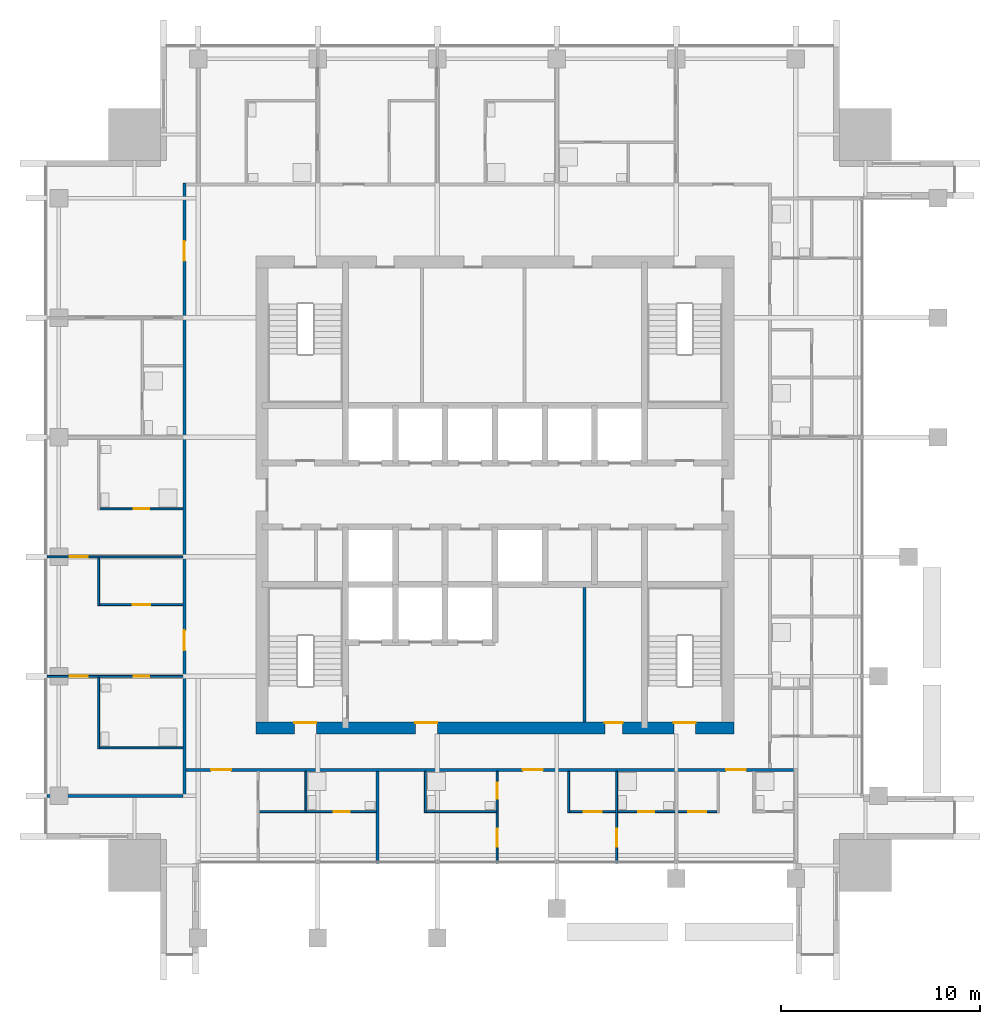
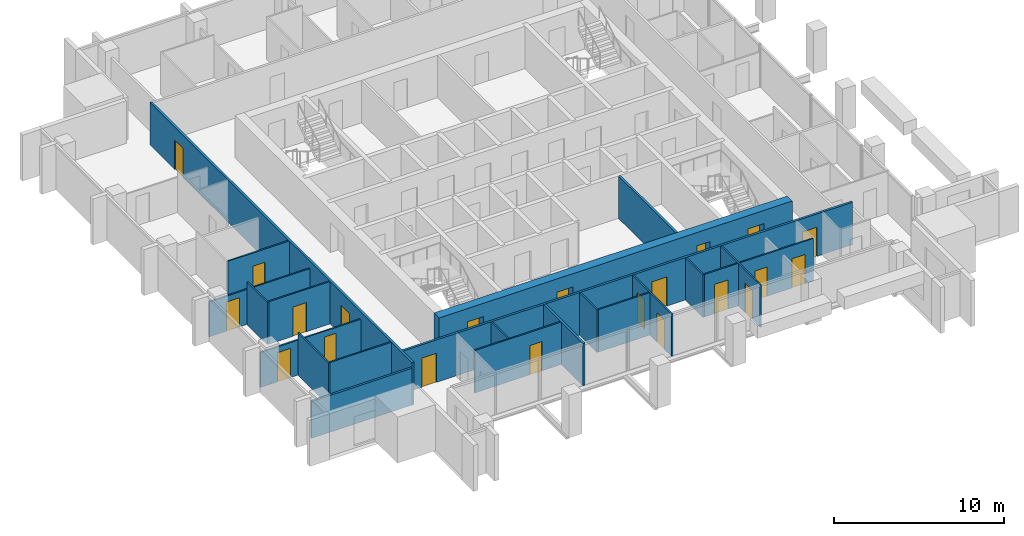
# One storey, part 8 of 14: 21 doors, 21 walls, 21 openings.
"""IFC4 building model written with IfcOpenShell, lengths in metres."""

from ifc_helpers import new_model, si_unit, direction, frame, frame_2d, origin, place, context, subcontext, project, spatial, rectangle, extrude, material, layer, layer_set, type_object, element, fill, save


model = new_model("IFC4")

# Units and contexts
model_context = context("Model", 3, precision=1e-05, world=origin(), true_north=direction((0.0, 1.0)))
body_context = subcontext(model_context, "Body", "Model", "MODEL_VIEW")
ifc_project = project(units=[si_unit("LENGTHUNIT", "METRE"), si_unit("AREAUNIT", "SQUARE_METRE"), si_unit("VOLUMEUNIT", "CUBIC_METRE"), si_unit("PLANEANGLEUNIT", "RADIAN"), si_unit("MASSUNIT", "GRAM", prefix="KILO")], contexts=[model_context])

# Site, building, storey
site_placement = place(None, origin())
site = spatial("IfcSite", under=ifc_project, at=site_placement, CompositionType="ELEMENT")
building_placement = place(site_placement, origin())
building = spatial("IfcBuilding", under=site, at=building_placement, Name="Amberfall Residences", CompositionType="ELEMENT")
storey_placement = place(building_placement, frame((0.0, 0.0, 220.0)))
storey = spatial("IfcBuildingStorey", under=building, at=storey_placement, Name="L59", CompositionType="ELEMENT", Elevation=220.0)

# Wall, openings, doors
ifc_material_1 = material(Name="Concrete C55", Category="concrete")
ifc_layer_1 = layer(ifc_material_1, 0.60009765625)
ifc_layer_set_1 = layer_set([ifc_layer_1], Name="Core wall 600 C55")
wall_type_1 = type_object("IfcWallType", Name="Core wall 600 C55", PredefinedType="SHEAR", material=ifc_layer_set_1)
wall_1_placement = place(storey_placement, frame((62.5, 33.800048828125, 0.0), z_axis=(0.0, 0.0, 1.0), x_axis=(1.0, 0.0, 0.0)))
wall_1 = element("IfcWall", 1, at=wall_1_placement, inside=storey, type_object=wall_type_1, Name="Core wall RW7 L59 OS", PredefinedType="SHEAR", context=body_context, shape_type="SweptSolid", body=[
    extrude(rectangle(XDim=24.0, YDim=0.60009765625, at=frame_2d((12.0, 0.0))), origin(), (0.0, 0.0, 1.0), 3.050048828125),
])
opening_1_placement = place(wall_1_placement, frame((1.925048828125, 0.0, 0.0)))
opening_1 = element("IfcOpeningElement", 2, at=opening_1_placement, cuts=wall_1, Name="Opening SD1", PredefinedType="OPENING", context=body_context, shape_type="SweptSolid", body=[
    extrude(rectangle(XDim=1.10009765625, YDim=2.10009765625, at=frame_2d((0.550048828125, 1.050048828125))), frame((0.0, 0.31005859375, 0.0), z_axis=(0.0, -1.0, 0.0), x_axis=(1.0, 0.0, 0.0)), (0.0, 0.0, 1.0), 0.6201171875),
])
opening_2_placement = place(wall_1_placement, frame((20.97509765625, 0.0, 0.0)))
opening_2 = element("IfcOpeningElement", 3, at=opening_2_placement, cuts=wall_1, Name="Opening SD1", PredefinedType="OPENING", context=body_context, shape_type="SweptSolid", body=[
    extrude(rectangle(XDim=1.10009765625, YDim=2.10009765625, at=frame_2d((0.550048828125, 1.050048828125))), frame((0.0, 0.31005859375, 0.0), z_axis=(0.0, -1.0, 0.0), x_axis=(1.0, 0.0, 0.0)), (0.0, 0.0, 1.0), 0.6201171875),
])
opening_3_placement = place(wall_1_placement, frame((8.0, 0.0, 0.0)))
opening_3 = element("IfcOpeningElement", 4, at=opening_3_placement, cuts=wall_1, Name="Opening FL1", PredefinedType="OPENING", context=body_context, shape_type="SweptSolid", body=[
    extrude(rectangle(XDim=1.10009765625, YDim=2.10009765625, at=frame_2d((0.550048828125, 1.050048828125))), frame((0.0, 0.31005859375, 0.0), z_axis=(0.0, -1.0, 0.0), x_axis=(1.0, 0.0, 0.0)), (0.0, 0.0, 1.0), 0.6201171875),
])
opening_4_placement = place(wall_1_placement, frame((17.512451171875, 0.0, 0.0)))
opening_4 = element("IfcOpeningElement", 5, at=opening_4_placement, cuts=wall_1, Name="Opening RD1", PredefinedType="OPENING", context=body_context, shape_type="SweptSolid", body=[
    extrude(rectangle(XDim=0.89990234375, YDim=2.10009765625, at=frame_2d((0.449951171875, 1.050048828125))), frame((0.0, 0.31005859375, 0.0), z_axis=(0.0, -1.0, 0.0), x_axis=(1.0, 0.0, 0.0)), (0.0, 0.0, 1.0), 0.6201171875),
])
ifc_material_2 = material(Name="Steel fire door set", Category="steel")
door_type_1 = type_object("IfcDoorType", Name="Firefighting lobby door 1100 x 2100", OperationType="SINGLE_SWING_LEFT", PredefinedType="DOOR", material=ifc_material_2)
door_1_placement = place(opening_3_placement, origin())
door_1 = element("IfcDoor", 6, at=door_1_placement, inside=storey, type_object=door_type_1, Name="FL1 L59", OperationType="SINGLE_SWING_LEFT", OverallHeight=2.10009765625, OverallWidth=1.10009765625, PredefinedType="DOOR", context=body_context, shape_type="SweptSolid", body=[
    extrude(rectangle(XDim=1.10009765625, YDim=2.10009765625, at=frame_2d((0.550048828125, 1.050048828125))), frame((0.0, 0.28759765625, 0.0), z_axis=(0.0, -1.0, 0.0), x_axis=(1.0, 0.0, 0.0)), (0.0, 0.0, 1.0), 0.050048828125),
])
fill(opening_3, door_1)
door_type_2 = type_object("IfcDoorType", Name="Service room door 900 x 2100", OperationType="SINGLE_SWING_LEFT", PredefinedType="DOOR", material=ifc_material_2)
door_2_placement = place(opening_4_placement, origin())
door_2 = element("IfcDoor", 7, at=door_2_placement, inside=storey, type_object=door_type_2, Name="RD1 L59", OperationType="SINGLE_SWING_LEFT", OverallHeight=2.10009765625, OverallWidth=0.89990234375, PredefinedType="DOOR", context=body_context, shape_type="SweptSolid", body=[
    extrude(rectangle(XDim=0.89990234375, YDim=2.10009765625, at=frame_2d((0.449951171875, 1.050048828125))), frame((0.0, 0.28759765625, 0.0), z_axis=(0.0, -1.0, 0.0), x_axis=(1.0, 0.0, 0.0)), (0.0, 0.0, 1.0), 0.050048828125),
])
fill(opening_4, door_2)
door_type_3 = type_object("IfcDoorType", Name="Stair door 1100 x 2100", OperationType="SINGLE_SWING_LEFT", PredefinedType="DOOR", material=ifc_material_2)
door_3_placement = place(opening_1_placement, origin())
door_3 = element("IfcDoor", 8, at=door_3_placement, inside=storey, type_object=door_type_3, Name="SD1 L59", OperationType="SINGLE_SWING_LEFT", OverallHeight=2.10009765625, OverallWidth=1.10009765625, PredefinedType="DOOR", context=body_context, shape_type="SweptSolid", body=[
    extrude(rectangle(XDim=1.10009765625, YDim=2.10009765625, at=frame_2d((0.550048828125, 1.050048828125))), frame((0.0, 0.28759765625, 0.0), z_axis=(0.0, -1.0, 0.0), x_axis=(1.0, 0.0, 0.0)), (0.0, 0.0, 1.0), 0.050048828125),
])
fill(opening_1, door_3)
door_4_placement = place(opening_2_placement, origin())
door_4 = element("IfcDoor", 9, at=door_4_placement, inside=storey, type_object=door_type_3, Name="SD1 L59", OperationType="SINGLE_SWING_RIGHT", OverallHeight=2.10009765625, OverallWidth=1.10009765625, PredefinedType="DOOR", context=body_context, shape_type="SweptSolid", body=[
    extrude(rectangle(XDim=1.10009765625, YDim=2.10009765625, at=frame_2d((0.550048828125, 1.050048828125))), frame((0.0, 0.28759765625, 0.0), z_axis=(0.0, -1.0, 0.0), x_axis=(1.0, 0.0, 0.0)), (0.0, 0.0, 1.0), 0.050048828125),
])
fill(opening_2, door_4)

# Walls
ifc_material_3 = material(Name="Gypsum board on metal stud")
ifc_layer_2 = layer(ifc_material_3, 0.10009765625)
ifc_layer_set_2 = layer_set([ifc_layer_2], Name="Flat partition 100")
wall_type_2 = type_object("IfcWallType", Name="Flat partition 100", PredefinedType="PARTITIONING", material=ifc_layer_set_2)
wall_2_placement = place(storey_placement, frame((54.60009765625, 32.75, 0.0), z_axis=(0.0, 0.0, 1.0), x_axis=(0.0, 1.0, 0.0)))
element("IfcWall", 10, at=wall_2_placement, inside=storey, type_object=wall_type_2, Name="Partition 001", PredefinedType="PARTITIONING", context=body_context, shape_type="SweptSolid", body=[
    extrude(rectangle(XDim=3.60009765625, YDim=0.10009765625, at=frame_2d((1.800048828125, 0.0))), origin(), (0.0, 0.0, 1.0), 3.050048828125),
])
wall_3_placement = place(storey_placement, frame((54.60009765625, 39.949951171875, 0.0), z_axis=(0.0, 0.0, 1.0), x_axis=(0.0, 1.0, 0.0)))
element("IfcWall", 11, at=wall_3_placement, inside=storey, type_object=wall_type_2, Name="Partition 002", PredefinedType="PARTITIONING", context=body_context, shape_type="SweptSolid", body=[
    extrude(rectangle(XDim=2.400146484375, YDim=0.10009765625, at=frame_2d((1.2001953125, 0.0))), origin(), (0.0, 0.0, 1.0), 3.050048828125),
])
wall_4_placement = place(storey_placement, frame((65.0, 29.64990234375, 0.0), z_axis=(0.0, 0.0, 1.0), x_axis=(0.0, 1.0, 0.0)))
element("IfcWall", 12, at=wall_4_placement, inside=storey, type_object=wall_type_2, Name="Partition 007", PredefinedType="PARTITIONING", context=body_context, shape_type="SweptSolid", body=[
    extrude(rectangle(XDim=1.97509765625, YDim=0.10009765625, at=frame_2d((0.987548828125, 0.0))), origin(), (0.0, 0.0, 1.0), 3.050048828125),
])
wall_5_placement = place(storey_placement, frame((71.0, 29.550048828125, 0.0), z_axis=(0.0, 0.0, 1.0), x_axis=(0.0, 1.0, 0.0)))
element("IfcWall", 13, at=wall_5_placement, inside=storey, type_object=wall_type_2, Name="Partition 010", PredefinedType="PARTITIONING", context=body_context, shape_type="SweptSolid", body=[
    extrude(rectangle(XDim=2.074951171875, YDim=0.10009765625, at=frame_2d((1.03759765625, 0.0))), origin(), (0.0, 0.0, 1.0), 3.050048828125),
])

# Wall, openings, doors
wall_6_placement = place(storey_placement, frame((74.60009765625, 27.0, 0.0), z_axis=(0.0, 0.0, 1.0), x_axis=(0.0, 1.0, 0.0)))
wall_6 = element("IfcWall", 14, at=wall_6_placement, inside=storey, type_object=wall_type_2, Name="Partition 013", PredefinedType="PARTITIONING", context=body_context, shape_type="SweptSolid", body=[
    extrude(rectangle(XDim=4.625, YDim=0.10009765625, at=frame_2d((2.3125, 0.0))), origin(), (0.0, 0.0, 1.0), 3.050048828125),
])
opening_5_placement = place(wall_6_placement, frame((0.85009765625, 0.0, 0.0)))
opening_5 = element("IfcOpeningElement", 15, at=opening_5_placement, cuts=wall_6, Name="Opening D41", PredefinedType="OPENING", context=body_context, shape_type="SweptSolid", body=[
    extrude(rectangle(XDim=0.89990234375, YDim=2.10009765625, at=frame_2d((0.449951171875, 1.050048828125))), frame((0.0, 0.06005859375, 0.0), z_axis=(0.0, -1.0, 0.0), x_axis=(1.0, 0.0, 0.0)), (0.0, 0.0, 1.0), 0.1201171875),
])
opening_6_placement = place(wall_6_placement, frame((3.25, 0.0, 0.0)))
opening_6 = element("IfcOpeningElement", 16, at=opening_6_placement, cuts=wall_6, Name="Opening D42", PredefinedType="OPENING", context=body_context, shape_type="SweptSolid", body=[
    extrude(rectangle(XDim=0.800048828125, YDim=2.10009765625, at=frame_2d((0.39990234375, 1.050048828125))), frame((0.0, 0.06005859375, 0.0), z_axis=(0.0, -1.0, 0.0), x_axis=(1.0, 0.0, 0.0)), (0.0, 0.0, 1.0), 0.1201171875),
])
ifc_material_4 = material(Name="Timber", Category="wood")
door_type_4 = type_object("IfcDoorType", Name="Bathroom door 800 x 2100", OperationType="SINGLE_SWING_LEFT", PredefinedType="DOOR", material=ifc_material_4)
door_5_placement = place(opening_6_placement, origin())
door_5 = element("IfcDoor", 17, at=door_5_placement, inside=storey, type_object=door_type_4, Name="Door 5902 bath1", OperationType="SINGLE_SWING_LEFT", OverallHeight=2.10009765625, OverallWidth=0.800048828125, PredefinedType="DOOR", context=body_context, shape_type="SweptSolid", body=[
    extrude(rectangle(XDim=0.800048828125, YDim=2.10009765625, at=frame_2d((0.39990234375, 1.050048828125))), frame((0.0, 0.02490234375, 0.0), z_axis=(0.0, -1.0, 0.0), x_axis=(1.0, 0.0, 0.0)), (0.0, 0.0, 1.0), 0.050048828125),
])
fill(opening_6, door_5)
door_type_5 = type_object("IfcDoorType", Name="Internal door 900 x 2100", OperationType="SINGLE_SWING_LEFT", PredefinedType="DOOR", material=ifc_material_4)
door_6_placement = place(opening_5_placement, origin())
door_6 = element("IfcDoor", 18, at=door_6_placement, inside=storey, type_object=door_type_5, Name="Door 5902 bedroom1", OperationType="SINGLE_SWING_LEFT", OverallHeight=2.10009765625, OverallWidth=0.89990234375, PredefinedType="DOOR", context=body_context, shape_type="SweptSolid", body=[
    extrude(rectangle(XDim=0.89990234375, YDim=2.10009765625, at=frame_2d((0.449951171875, 1.050048828125))), frame((0.0, 0.02490234375, 0.0), z_axis=(0.0, -1.0, 0.0), x_axis=(1.0, 0.0, 0.0)), (0.0, 0.0, 1.0), 0.050048828125),
])
fill(opening_5, door_6)

# Wall
wall_7_placement = place(storey_placement, frame((78.199951171875, 29.550048828125, 0.0), z_axis=(0.0, 0.0, 1.0), x_axis=(0.0, 1.0, 0.0)))
element("IfcWall", 19, at=wall_7_placement, inside=storey, type_object=wall_type_2, Name="Partition 014", PredefinedType="PARTITIONING", context=body_context, shape_type="SweptSolid", body=[
    extrude(rectangle(XDim=2.074951171875, YDim=0.10009765625, at=frame_2d((1.03759765625, 0.0))), origin(), (0.0, 0.0, 1.0), 3.050048828125),
])

# Wall, opening, door
wall_8_placement = place(storey_placement, frame((80.60009765625, 31.625, 0.0), z_axis=(0.0, 0.0, 1.0), x_axis=(0.0, -1.0, 0.0)))
wall_8 = element("IfcWall", 20, at=wall_8_placement, inside=storey, type_object=wall_type_2, Name="Partition 015", PredefinedType="PARTITIONING", context=body_context, shape_type="SweptSolid", body=[
    extrude(rectangle(XDim=4.625, YDim=0.10009765625, at=frame_2d((2.3125, 0.0))), origin(), (0.0, 0.0, 1.0), 3.050048828125),
])
opening_7_placement = place(wall_8_placement, frame((2.875, 0.0, 0.0)))
opening_7 = element("IfcOpeningElement", 21, at=opening_7_placement, cuts=wall_8, Name="Opening D41", PredefinedType="OPENING", context=body_context, shape_type="SweptSolid", body=[
    extrude(rectangle(XDim=0.89990234375, YDim=2.10009765625, at=frame_2d((0.449951171875, 1.050048828125))), frame((0.0, 0.06005859375, 0.0), z_axis=(0.0, -1.0, 0.0), x_axis=(1.0, 0.0, 0.0)), (0.0, 0.0, 1.0), 0.1201171875),
])
door_7_placement = place(opening_7_placement, origin())
door_7 = element("IfcDoor", 22, at=door_7_placement, inside=storey, type_object=door_type_5, Name="Door 5902 bedroom2", OperationType="SINGLE_SWING_LEFT", OverallHeight=2.10009765625, OverallWidth=0.89990234375, PredefinedType="DOOR", context=body_context, shape_type="SweptSolid", body=[
    extrude(rectangle(XDim=0.89990234375, YDim=2.10009765625, at=frame_2d((0.449951171875, 1.050048828125))), frame((0.0, 0.02490234375, 0.0), z_axis=(0.0, -1.0, 0.0), x_axis=(1.0, 0.0, 0.0)), (0.0, 0.0, 1.0), 0.050048828125),
])
fill(opening_7, door_7)

wall_9_placement = place(storey_placement, frame((54.64990234375, 44.800048828125, 0.0), z_axis=(0.0, 0.0, 1.0), x_axis=(1.0, 0.0, 0.0)))
wall_9 = element("IfcWall", 23, at=wall_9_placement, inside=storey, type_object=wall_type_2, Name="Partition 032", PredefinedType="PARTITIONING", context=body_context, shape_type="SweptSolid", body=[
    extrude(rectangle(XDim=4.175048828125, YDim=0.10009765625, at=frame_2d((2.08740234375, 0.0))), origin(), (0.0, 0.0, 1.0), 3.050048828125),
])
opening_8_placement = place(wall_9_placement, frame((1.699951171875, 0.0, 0.0)))
opening_8 = element("IfcOpeningElement", 24, at=opening_8_placement, cuts=wall_9, Name="Opening D42", PredefinedType="OPENING", context=body_context, shape_type="SweptSolid", body=[
    extrude(rectangle(XDim=0.800048828125, YDim=2.10009765625, at=frame_2d((0.39990234375, 1.050048828125))), frame((0.0, 0.06005859375, 0.0), z_axis=(0.0, -1.0, 0.0), x_axis=(1.0, 0.0, 0.0)), (0.0, 0.0, 1.0), 0.1201171875),
])
door_8_placement = place(opening_8_placement, origin())
door_8 = element("IfcDoor", 25, at=door_8_placement, inside=storey, type_object=door_type_4, Name="Door 5909 bath2", OperationType="SINGLE_SWING_LEFT", OverallHeight=2.10009765625, OverallWidth=0.800048828125, PredefinedType="DOOR", context=body_context, shape_type="SweptSolid", body=[
    extrude(rectangle(XDim=0.800048828125, YDim=2.10009765625, at=frame_2d((0.39990234375, 1.050048828125))), frame((0.0, 0.02490234375, 0.0), z_axis=(0.0, -1.0, 0.0), x_axis=(1.0, 0.0, 0.0)), (0.0, 0.0, 1.0), 0.050048828125),
])
fill(opening_8, door_8)

wall_10_placement = place(storey_placement, frame((52.0, 42.39990234375, 0.0), z_axis=(0.0, 0.0, 1.0), x_axis=(1.0, 0.0, 0.0)))
wall_10 = element("IfcWall", 26, at=wall_10_placement, inside=storey, type_object=wall_type_2, Name="Partition 033", PredefinedType="PARTITIONING", context=body_context, shape_type="SweptSolid", body=[
    extrude(rectangle(XDim=6.824951171875, YDim=0.10009765625, at=frame_2d((3.41259765625, 0.0))), origin(), (0.0, 0.0, 1.0), 2.51611328125),
])
opening_9_placement = place(wall_10_placement, frame((1.14990234375, 0.0, 0.0)))
opening_9 = element("IfcOpeningElement", 27, at=opening_9_placement, cuts=wall_10, Name="Opening D41", PredefinedType="OPENING", context=body_context, shape_type="SweptSolid", body=[
    extrude(rectangle(XDim=0.89990234375, YDim=2.10009765625, at=frame_2d((0.449951171875, 1.050048828125))), frame((0.0, 0.06005859375, 0.0), z_axis=(0.0, -1.0, 0.0), x_axis=(1.0, 0.0, 0.0)), (0.0, 0.0, 1.0), 0.1201171875),
])
door_9_placement = place(opening_9_placement, origin())
door_9 = element("IfcDoor", 28, at=door_9_placement, inside=storey, type_object=door_type_5, Name="Door 5909 bedroom2", OperationType="SINGLE_SWING_LEFT", OverallHeight=2.10009765625, OverallWidth=0.89990234375, PredefinedType="DOOR", context=body_context, shape_type="SweptSolid", body=[
    extrude(rectangle(XDim=0.89990234375, YDim=2.10009765625, at=frame_2d((0.449951171875, 1.050048828125))), frame((0.0, 0.02490234375, 0.0), z_axis=(0.0, -1.0, 0.0), x_axis=(1.0, 0.0, 0.0)), (0.0, 0.0, 1.0), 0.050048828125),
])
fill(opening_9, door_9)

wall_11_placement = place(storey_placement, frame((54.64990234375, 40.0, 0.0), z_axis=(0.0, 0.0, 1.0), x_axis=(1.0, 0.0, 0.0)))
wall_11 = element("IfcWall", 29, at=wall_11_placement, inside=storey, type_object=wall_type_2, Name="Partition 035", PredefinedType="PARTITIONING", context=body_context, shape_type="SweptSolid", body=[
    extrude(rectangle(XDim=4.175048828125, YDim=0.10009765625, at=frame_2d((2.08740234375, 0.0))), origin(), (0.0, 0.0, 1.0), 3.050048828125),
])
opening_10_placement = place(wall_11_placement, frame((1.64990234375, 0.0, 0.0)))
opening_10 = element("IfcOpeningElement", 30, at=opening_10_placement, cuts=wall_11, Name="Opening D41", PredefinedType="OPENING", context=body_context, shape_type="SweptSolid", body=[
    extrude(rectangle(XDim=0.89990234375, YDim=2.10009765625, at=frame_2d((0.449951171875, 1.050048828125))), frame((0.0, 0.06005859375, 0.0), z_axis=(0.0, -1.0, 0.0), x_axis=(1.0, 0.0, 0.0)), (0.0, 0.0, 1.0), 0.1201171875),
])
door_10_placement = place(opening_10_placement, origin())
door_10 = element("IfcDoor", 31, at=door_10_placement, inside=storey, type_object=door_type_5, Name="Door 5909 kitchen", OperationType="SINGLE_SWING_LEFT", OverallHeight=2.10009765625, OverallWidth=0.89990234375, PredefinedType="DOOR", context=body_context, shape_type="SweptSolid", body=[
    extrude(rectangle(XDim=0.89990234375, YDim=2.10009765625, at=frame_2d((0.449951171875, 1.050048828125))), frame((0.0, 0.02490234375, 0.0), z_axis=(0.0, -1.0, 0.0), x_axis=(1.0, 0.0, 0.0)), (0.0, 0.0, 1.0), 0.050048828125),
])
fill(opening_10, door_10)

# Wall, openings, doors
wall_12_placement = place(storey_placement, frame((58.824951171875, 36.39990234375, 0.0), z_axis=(0.0, 0.0, 1.0), x_axis=(-1.0, 0.0, 0.0)))
wall_12 = element("IfcWall", 32, at=wall_12_placement, inside=storey, type_object=wall_type_2, Name="Partition 036", PredefinedType="PARTITIONING", context=body_context, shape_type="SweptSolid", body=[
    extrude(rectangle(XDim=6.824951171875, YDim=0.10009765625, at=frame_2d((3.41259765625, 0.0))), origin(), (0.0, 0.0, 1.0), 2.51611328125),
])
opening_11_placement = place(wall_12_placement, frame((4.77490234375, 0.0, 0.0)))
opening_11 = element("IfcOpeningElement", 33, at=opening_11_placement, cuts=wall_12, Name="Opening D41", PredefinedType="OPENING", context=body_context, shape_type="SweptSolid", body=[
    extrude(rectangle(XDim=0.89990234375, YDim=2.10009765625, at=frame_2d((0.449951171875, 1.050048828125))), frame((0.0, 0.06005859375, 0.0), z_axis=(0.0, -1.0, 0.0), x_axis=(1.0, 0.0, 0.0)), (0.0, 0.0, 1.0), 0.1201171875),
])
opening_12_placement = place(wall_12_placement, frame((1.675048828125, 0.0, 0.0)))
opening_12 = element("IfcOpeningElement", 34, at=opening_12_placement, cuts=wall_12, Name="Opening D42", PredefinedType="OPENING", context=body_context, shape_type="SweptSolid", body=[
    extrude(rectangle(XDim=0.800048828125, YDim=2.10009765625, at=frame_2d((0.39990234375, 1.050048828125))), frame((0.0, 0.06005859375, 0.0), z_axis=(0.0, -1.0, 0.0), x_axis=(1.0, 0.0, 0.0)), (0.0, 0.0, 1.0), 0.1201171875),
])
door_11_placement = place(opening_12_placement, origin())
door_11 = element("IfcDoor", 35, at=door_11_placement, inside=storey, type_object=door_type_4, Name="Door 5909 bath1", OperationType="SINGLE_SWING_LEFT", OverallHeight=2.10009765625, OverallWidth=0.800048828125, PredefinedType="DOOR", context=body_context, shape_type="SweptSolid", body=[
    extrude(rectangle(XDim=0.800048828125, YDim=2.10009765625, at=frame_2d((0.39990234375, 1.050048828125))), frame((0.0, 0.02490234375, 0.0), z_axis=(0.0, -1.0, 0.0), x_axis=(1.0, 0.0, 0.0)), (0.0, 0.0, 1.0), 0.050048828125),
])
fill(opening_12, door_11)
door_12_placement = place(opening_11_placement, origin())
door_12 = element("IfcDoor", 36, at=door_12_placement, inside=storey, type_object=door_type_5, Name="Door 5909 bedroom1", OperationType="SINGLE_SWING_LEFT", OverallHeight=2.10009765625, OverallWidth=0.89990234375, PredefinedType="DOOR", context=body_context, shape_type="SweptSolid", body=[
    extrude(rectangle(XDim=0.89990234375, YDim=2.10009765625, at=frame_2d((0.449951171875, 1.050048828125))), frame((0.0, 0.02490234375, 0.0), z_axis=(0.0, -1.0, 0.0), x_axis=(1.0, 0.0, 0.0)), (0.0, 0.0, 1.0), 0.050048828125),
])
fill(opening_11, door_12)

# Wall
wall_13_placement = place(storey_placement, frame((54.64990234375, 32.800048828125, 0.0), z_axis=(0.0, 0.0, 1.0), x_axis=(1.0, 0.0, 0.0)))
element("IfcWall", 37, at=wall_13_placement, inside=storey, type_object=wall_type_2, Name="Partition 039", PredefinedType="PARTITIONING", context=body_context, shape_type="SweptSolid", body=[
    extrude(rectangle(XDim=4.175048828125, YDim=0.10009765625, at=frame_2d((2.08740234375, 0.0))), origin(), (0.0, 0.0, 1.0), 3.050048828125),
])

# Wall, opening, door
wall_14_placement = place(storey_placement, frame((62.64990234375, 29.60009765625, 0.0), z_axis=(0.0, 0.0, 1.0), x_axis=(1.0, 0.0, 0.0)))
wall_14 = element("IfcWall", 38, at=wall_14_placement, inside=storey, type_object=wall_type_2, Name="Partition 040", PredefinedType="PARTITIONING", context=body_context, shape_type="SweptSolid", body=[
    extrude(rectangle(XDim=5.875, YDim=0.10009765625, at=frame_2d((2.9375, 0.0))), origin(), (0.0, 0.0, 1.0), 3.050048828125),
])
opening_13_placement = place(wall_14_placement, frame((3.75, 0.0, 0.0)))
opening_13 = element("IfcOpeningElement", 39, at=opening_13_placement, cuts=wall_14, Name="Opening D42", PredefinedType="OPENING", context=body_context, shape_type="SweptSolid", body=[
    extrude(rectangle(XDim=0.800048828125, YDim=2.10009765625, at=frame_2d((0.39990234375, 1.050048828125))), frame((0.0, 0.06005859375, 0.0), z_axis=(0.0, -1.0, 0.0), x_axis=(1.0, 0.0, 0.0)), (0.0, 0.0, 1.0), 0.1201171875),
])
door_13_placement = place(opening_13_placement, origin())
door_13 = element("IfcDoor", 40, at=door_13_placement, inside=storey, type_object=door_type_4, Name="Door 5901 bath1", OperationType="SINGLE_SWING_LEFT", OverallHeight=2.10009765625, OverallWidth=0.800048828125, PredefinedType="DOOR", context=body_context, shape_type="SweptSolid", body=[
    extrude(rectangle(XDim=0.800048828125, YDim=2.10009765625, at=frame_2d((0.39990234375, 1.050048828125))), frame((0.0, 0.02490234375, 0.0), z_axis=(0.0, -1.0, 0.0), x_axis=(1.0, 0.0, 0.0)), (0.0, 0.0, 1.0), 0.050048828125),
])
fill(opening_13, door_13)

# Wall
wall_15_placement = place(storey_placement, frame((71.050048828125, 29.60009765625, 0.0), z_axis=(0.0, 0.0, 1.0), x_axis=(1.0, 0.0, 0.0)))
element("IfcWall", 41, at=wall_15_placement, inside=storey, type_object=wall_type_2, Name="Partition 041", PredefinedType="PARTITIONING", context=body_context, shape_type="SweptSolid", body=[
    extrude(rectangle(XDim=3.5, YDim=0.10009765625, at=frame_2d((1.75, 0.0))), origin(), (0.0, 0.0, 1.0), 3.050048828125),
])

# Wall, openings, doors
wall_16_placement = place(storey_placement, frame((78.25, 29.60009765625, 0.0), z_axis=(0.0, 0.0, 1.0), x_axis=(1.0, 0.0, 0.0)))
wall_16 = element("IfcWall", 42, at=wall_16_placement, inside=storey, type_object=wall_type_2, Name="Partition 042", PredefinedType="PARTITIONING", context=body_context, shape_type="SweptSolid", body=[
    extrude(rectangle(XDim=7.39990234375, YDim=0.10009765625, at=frame_2d((3.699951171875, 0.0))), origin(), (0.0, 0.0, 1.0), 3.050048828125),
])
opening_14_placement = place(wall_16_placement, frame((0.699951171875, 0.0, 0.0)))
opening_14 = element("IfcOpeningElement", 43, at=opening_14_placement, cuts=wall_16, Name="Opening D41", PredefinedType="OPENING", context=body_context, shape_type="SweptSolid", body=[
    extrude(rectangle(XDim=0.89990234375, YDim=2.10009765625, at=frame_2d((0.449951171875, 1.050048828125))), frame((0.0, 0.06005859375, 0.0), z_axis=(0.0, -1.0, 0.0), x_axis=(1.0, 0.0, 0.0)), (0.0, 0.0, 1.0), 0.1201171875),
])
opening_15_placement = place(wall_16_placement, frame((3.449951171875, 0.0, 0.0)))
opening_15 = element("IfcOpeningElement", 44, at=opening_15_placement, cuts=wall_16, Name="Opening D42", PredefinedType="OPENING", context=body_context, shape_type="SweptSolid", body=[
    extrude(rectangle(XDim=0.800048828125, YDim=2.10009765625, at=frame_2d((0.39990234375, 1.050048828125))), frame((0.0, 0.06005859375, 0.0), z_axis=(0.0, -1.0, 0.0), x_axis=(1.0, 0.0, 0.0)), (0.0, 0.0, 1.0), 0.1201171875),
])
opening_16_placement = place(wall_16_placement, frame((5.949951171875, 0.0, 0.0)))
opening_16 = element("IfcOpeningElement", 45, at=opening_16_placement, cuts=wall_16, Name="Opening D41", PredefinedType="OPENING", context=body_context, shape_type="SweptSolid", body=[
    extrude(rectangle(XDim=0.89990234375, YDim=2.10009765625, at=frame_2d((0.449951171875, 1.050048828125))), frame((0.0, 0.06005859375, 0.0), z_axis=(0.0, -1.0, 0.0), x_axis=(1.0, 0.0, 0.0)), (0.0, 0.0, 1.0), 0.1201171875),
])
door_14_placement = place(opening_15_placement, origin())
door_14 = element("IfcDoor", 46, at=door_14_placement, inside=storey, type_object=door_type_4, Name="Door 5902 bath2", OperationType="SINGLE_SWING_LEFT", OverallHeight=2.10009765625, OverallWidth=0.800048828125, PredefinedType="DOOR", context=body_context, shape_type="SweptSolid", body=[
    extrude(rectangle(XDim=0.800048828125, YDim=2.10009765625, at=frame_2d((0.39990234375, 1.050048828125))), frame((0.0, 0.02490234375, 0.0), z_axis=(0.0, -1.0, 0.0), x_axis=(1.0, 0.0, 0.0)), (0.0, 0.0, 1.0), 0.050048828125),
])
fill(opening_15, door_14)
door_15_placement = place(opening_14_placement, origin())
door_15 = element("IfcDoor", 47, at=door_15_placement, inside=storey, type_object=door_type_5, Name="Door 5902 kitchen", OperationType="SINGLE_SWING_LEFT", OverallHeight=2.10009765625, OverallWidth=0.89990234375, PredefinedType="DOOR", context=body_context, shape_type="SweptSolid", body=[
    extrude(rectangle(XDim=0.89990234375, YDim=2.10009765625, at=frame_2d((0.449951171875, 1.050048828125))), frame((0.0, 0.02490234375, 0.0), z_axis=(0.0, -1.0, 0.0), x_axis=(1.0, 0.0, 0.0)), (0.0, 0.0, 1.0), 0.050048828125),
])
fill(opening_14, door_15)
door_16_placement = place(opening_16_placement, origin())
door_16 = element("IfcDoor", 48, at=door_16_placement, inside=storey, type_object=door_type_5, Name="Door 5903 kitchen", OperationType="SINGLE_SWING_LEFT", OverallHeight=2.10009765625, OverallWidth=0.89990234375, PredefinedType="DOOR", context=body_context, shape_type="SweptSolid", body=[
    extrude(rectangle(XDim=0.89990234375, YDim=2.10009765625, at=frame_2d((0.449951171875, 1.050048828125))), frame((0.0, 0.02490234375, 0.0), z_axis=(0.0, -1.0, 0.0), x_axis=(1.0, 0.0, 0.0)), (0.0, 0.0, 1.0), 0.050048828125),
])
fill(opening_16, door_16)

ifc_material_5 = material(Name="Blockwork, plastered", Category="masonry")
ifc_layer_3 = layer(ifc_material_5, 0.14990234375)
ifc_layer_set_3 = layer_set([ifc_layer_3], Name="Flat separating wall 150")
wall_type_3 = type_object("IfcWallType", Name="Flat separating wall 150", PredefinedType="PARTITIONING", material=ifc_layer_set_3)
wall_17_placement = place(storey_placement, frame((58.89990234375, 30.324951171875, 0.0), z_axis=(0.0, 0.0, 1.0), x_axis=(0.0, 1.0, 0.0)))
wall_17 = element("IfcWall", 49, at=wall_17_placement, inside=storey, type_object=wall_type_3, Name="Separating wall 044", PredefinedType="PARTITIONING", context=body_context, shape_type="SweptSolid", body=[
    extrude(rectangle(XDim=30.85009765625, YDim=0.14990234375, at=frame_2d((15.425048828125, 0.0))), origin(), (0.0, 0.0, 1.0), 3.050048828125),
])
opening_17_placement = place(wall_17_placement, frame((7.375, 0.0, 0.0)))
opening_17 = element("IfcOpeningElement", 50, at=opening_17_placement, cuts=wall_17, Name="Opening D40", PredefinedType="OPENING", context=body_context, shape_type="SweptSolid", body=[
    extrude(rectangle(XDim=1.0, YDim=2.10009765625, at=frame_2d((0.5, 1.050048828125))), frame((0.0, 0.0849609375, 0.0), z_axis=(0.0, -1.0, 0.0), x_axis=(1.0, 0.0, 0.0)), (0.0, 0.0, 1.0), 0.169921875),
])
opening_18_placement = place(wall_17_placement, frame((26.925048828125, 0.0, 0.0)))
opening_18 = element("IfcOpeningElement", 51, at=opening_18_placement, cuts=wall_17, Name="Opening D40", PredefinedType="OPENING", context=body_context, shape_type="SweptSolid", body=[
    extrude(rectangle(XDim=1.0, YDim=2.10009765625, at=frame_2d((0.5, 1.050048828125))), frame((0.0, 0.0849609375, 0.0), z_axis=(0.0, -1.0, 0.0), x_axis=(1.0, 0.0, 0.0)), (0.0, 0.0, 1.0), 0.169921875),
])
ifc_material_6 = material(Name="Timber, fire-rated", Category="wood")
door_type_6 = type_object("IfcDoorType", Name="Flat entrance door FD60 1000 x 2100", OperationType="SINGLE_SWING_LEFT", PredefinedType="DOOR", material=ifc_material_6)
door_17_placement = place(opening_17_placement, origin())
door_17 = element("IfcDoor", 52, at=door_17_placement, inside=storey, type_object=door_type_6, Name="Door 5909 entrance", OperationType="SINGLE_SWING_LEFT", OverallHeight=2.10009765625, OverallWidth=1.0, PredefinedType="DOOR", context=body_context, shape_type="SweptSolid", body=[
    extrude(rectangle(XDim=1.0, YDim=2.10009765625, at=frame_2d((0.5, 1.050048828125))), frame((0.0, 0.02490234375, 0.0), z_axis=(0.0, -1.0, 0.0), x_axis=(1.0, 0.0, 0.0)), (0.0, 0.0, 1.0), 0.050048828125),
])
fill(opening_17, door_17)
door_18_placement = place(opening_18_placement, origin())
door_18 = element("IfcDoor", 53, at=door_18_placement, inside=storey, type_object=door_type_6, Name="Door 5910 entrance", OperationType="SINGLE_SWING_LEFT", OverallHeight=2.10009765625, OverallWidth=1.0, PredefinedType="DOOR", context=body_context, shape_type="SweptSolid", body=[
    extrude(rectangle(XDim=1.0, YDim=2.10009765625, at=frame_2d((0.5, 1.050048828125))), frame((0.0, 0.02490234375, 0.0), z_axis=(0.0, -1.0, 0.0), x_axis=(1.0, 0.0, 0.0)), (0.0, 0.0, 1.0), 0.050048828125),
])
fill(opening_18, door_18)

# Wall
wall_18_placement = place(storey_placement, frame((68.60009765625, 27.0, 0.0), z_axis=(0.0, 0.0, 1.0), x_axis=(0.0, 1.0, 0.0)))
element("IfcWall", 54, at=wall_18_placement, inside=storey, type_object=wall_type_3, Name="Separating wall 046", PredefinedType="PARTITIONING", context=body_context, shape_type="SweptSolid", body=[
    extrude(rectangle(XDim=4.625, YDim=0.14990234375, at=frame_2d((2.3125, 0.0))), origin(), (0.0, 0.0, 1.0), 3.050048828125),
])

# Wall, openings, doors
wall_19_placement = place(storey_placement, frame((89.52490234375, 31.699951171875, 0.0), z_axis=(0.0, 0.0, 1.0), x_axis=(-1.0, 0.0, 0.0)))
wall_19 = element("IfcWall", 55, at=wall_19_placement, inside=storey, type_object=wall_type_3, Name="Separating wall 056", PredefinedType="PARTITIONING", context=body_context, shape_type="SweptSolid", body=[
    extrude(rectangle(XDim=30.5498046875, YDim=0.14990234375, at=frame_2d((15.27490234375, 0.0))), origin(), (0.0, 0.0, 1.0), 3.050048828125),
])
opening_19_placement = place(wall_19_placement, frame((28.27490234375, 0.0, 0.0)))
opening_19 = element("IfcOpeningElement", 56, at=opening_19_placement, cuts=wall_19, Name="Opening D40", PredefinedType="OPENING", context=body_context, shape_type="SweptSolid", body=[
    extrude(rectangle(XDim=1.0, YDim=2.10009765625, at=frame_2d((0.5, 1.050048828125))), frame((0.0, 0.0849609375, 0.0), z_axis=(0.0, -1.0, 0.0), x_axis=(1.0, 0.0, 0.0)), (0.0, 0.0, 1.0), 0.169921875),
])
opening_20_placement = place(wall_19_placement, frame((12.625, 0.0, 0.0)))
opening_20 = element("IfcOpeningElement", 57, at=opening_20_placement, cuts=wall_19, Name="Opening D40", PredefinedType="OPENING", context=body_context, shape_type="SweptSolid", body=[
    extrude(rectangle(XDim=1.0, YDim=2.10009765625, at=frame_2d((0.5, 1.050048828125))), frame((0.0, 0.0849609375, 0.0), z_axis=(0.0, -1.0, 0.0), x_axis=(1.0, 0.0, 0.0)), (0.0, 0.0, 1.0), 0.169921875),
])
opening_21_placement = place(wall_19_placement, frame((2.425048828125, 0.0, 0.0)))
opening_21 = element("IfcOpeningElement", 58, at=opening_21_placement, cuts=wall_19, Name="Opening D40", PredefinedType="OPENING", context=body_context, shape_type="SweptSolid", body=[
    extrude(rectangle(XDim=1.0, YDim=2.10009765625, at=frame_2d((0.5, 1.050048828125))), frame((0.0, 0.0849609375, 0.0), z_axis=(0.0, -1.0, 0.0), x_axis=(1.0, 0.0, 0.0)), (0.0, 0.0, 1.0), 0.169921875),
])
door_19_placement = place(opening_19_placement, origin())
door_19 = element("IfcDoor", 59, at=door_19_placement, inside=storey, type_object=door_type_6, Name="Door 5901 entrance", OperationType="SINGLE_SWING_LEFT", OverallHeight=2.10009765625, OverallWidth=1.0, PredefinedType="DOOR", context=body_context, shape_type="SweptSolid", body=[
    extrude(rectangle(XDim=1.0, YDim=2.10009765625, at=frame_2d((0.5, 1.050048828125))), frame((0.0, 0.02490234375, 0.0), z_axis=(0.0, -1.0, 0.0), x_axis=(1.0, 0.0, 0.0)), (0.0, 0.0, 1.0), 0.050048828125),
])
fill(opening_19, door_19)
door_20_placement = place(opening_20_placement, origin())
door_20 = element("IfcDoor", 60, at=door_20_placement, inside=storey, type_object=door_type_6, Name="Door 5902 entrance", OperationType="SINGLE_SWING_LEFT", OverallHeight=2.10009765625, OverallWidth=1.0, PredefinedType="DOOR", context=body_context, shape_type="SweptSolid", body=[
    extrude(rectangle(XDim=1.0, YDim=2.10009765625, at=frame_2d((0.5, 1.050048828125))), frame((0.0, 0.02490234375, 0.0), z_axis=(0.0, -1.0, 0.0), x_axis=(1.0, 0.0, 0.0)), (0.0, 0.0, 1.0), 0.050048828125),
])
fill(opening_20, door_20)
door_21_placement = place(opening_21_placement, origin())
door_21 = element("IfcDoor", 61, at=door_21_placement, inside=storey, type_object=door_type_6, Name="Door 5903 entrance", OperationType="SINGLE_SWING_LEFT", OverallHeight=2.10009765625, OverallWidth=1.0, PredefinedType="DOOR", context=body_context, shape_type="SweptSolid", body=[
    extrude(rectangle(XDim=1.0, YDim=2.10009765625, at=frame_2d((0.5, 1.050048828125))), frame((0.0, 0.02490234375, 0.0), z_axis=(0.0, -1.0, 0.0), x_axis=(1.0, 0.0, 0.0)), (0.0, 0.0, 1.0), 0.050048828125),
])
fill(opening_21, door_21)

# Walls
wall_20_placement = place(storey_placement, frame((52.0, 30.39990234375, 0.0), z_axis=(0.0, 0.0, 1.0), x_axis=(1.0, 0.0, 0.0)))
element("IfcWall", 62, at=wall_20_placement, inside=storey, type_object=wall_type_3, Name="Separating wall 057", PredefinedType="PARTITIONING", context=body_context, shape_type="SweptSolid", body=[
    extrude(rectangle(XDim=6.824951171875, YDim=0.14990234375, at=frame_2d((3.41259765625, 0.0))), origin(), (0.0, 0.0, 1.0), 2.64697265625),
])
ifc_material_7 = material(Name="Concrete blockwork", Category="masonry")
ifc_layer_4 = layer(ifc_material_7, 0.14990234375)
ifc_layer_set_4 = layer_set([ifc_layer_4], Name="Riser wall 150")
wall_type_4 = type_object("IfcWallType", Name="Riser wall 150", PredefinedType="PLUMBINGWALL", material=ifc_layer_set_4)
wall_21_placement = place(storey_placement, frame((79.0, 34.10009765625, 0.0), z_axis=(0.0, 0.0, 1.0), x_axis=(0.0, 1.0, 0.0)))
element("IfcWall", 63, at=wall_21_placement, inside=storey, type_object=wall_type_4, Name="L59 core wall PX", PredefinedType="PLUMBINGWALL", context=body_context, shape_type="SweptSolid", body=[
    extrude(rectangle(XDim=6.75, YDim=0.14990234375, at=frame_2d((3.375, 0.0))), origin(), (0.0, 0.0, 1.0), 3.050048828125),
])

save(model, "model.ifc")
